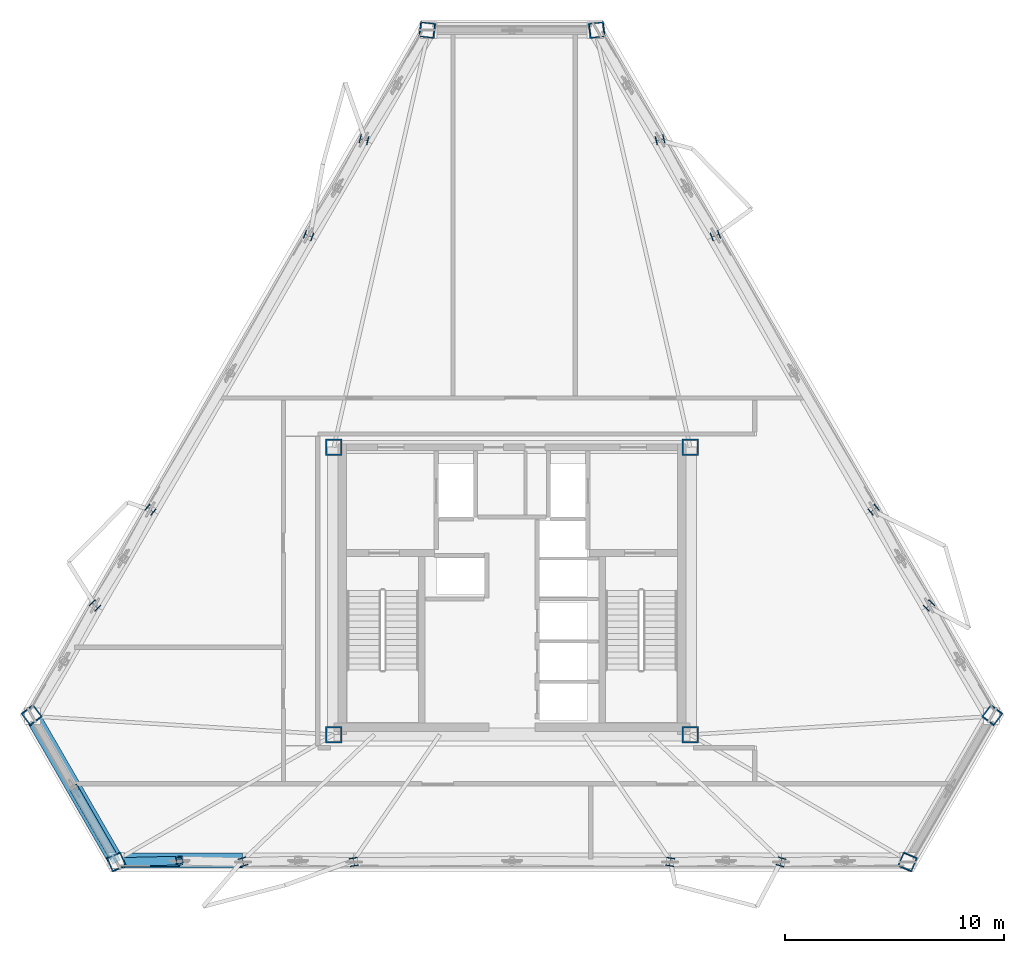
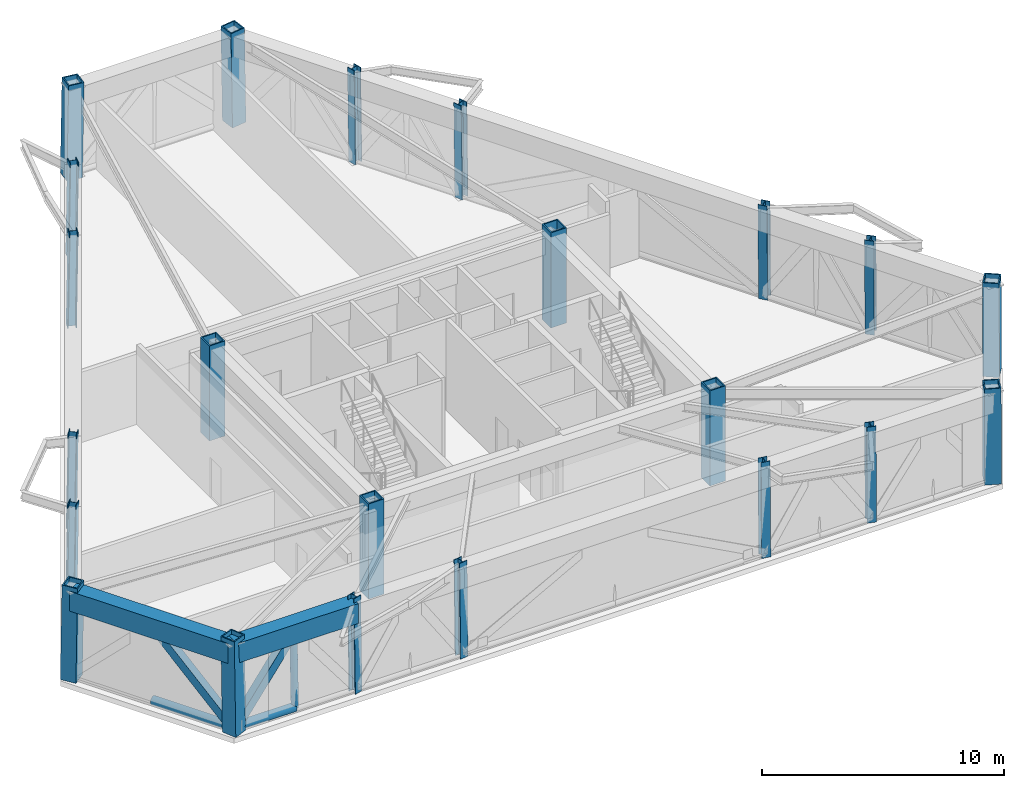
# One storey, part 1 of 10: 22 columns, 5 members, 2 beams.
"""IFC4 building model written with IfcOpenShell, lengths in metres."""

from ifc_helpers import new_model, si_unit, direction, frame, origin, origin_2d, place, context, subcontext, project, spatial, hollow_rectangle, hollow_circle, i_section, extrude, material, material_profile, profile_set, type_object, element, save


model = new_model("IFC4")

# Units and contexts
model_context = context("Model", 3, precision=1e-05, world=origin(), true_north=direction((0.0, 1.0)))
body_context = subcontext(model_context, "Body", "Model", "MODEL_VIEW")
ifc_project = project(units=[si_unit("LENGTHUNIT", "METRE"), si_unit("AREAUNIT", "SQUARE_METRE"), si_unit("VOLUMEUNIT", "CUBIC_METRE"), si_unit("PLANEANGLEUNIT", "RADIAN"), si_unit("MASSUNIT", "GRAM", prefix="KILO")], contexts=[model_context])

# Site, building, storey
site_placement = place(None, origin())
site = spatial("IfcSite", under=ifc_project, at=site_placement, CompositionType="ELEMENT")
building_placement = place(site_placement, origin())
building = spatial("IfcBuilding", under=site, at=building_placement, Name="Oramaril Tower", CompositionType="ELEMENT")
storey_placement = place(building_placement, frame((0.0, 0.0, 189.0)))
storey = spatial("IfcBuildingStorey", under=building, at=storey_placement, Name="L50", CompositionType="ELEMENT", Elevation=189.0)

# Columns
ifc_material_1 = material(Name="Steel ASTM A572 Gr 50", Category="steel")
ifc_material_profile_1 = material_profile(ifc_material_1, hollow_rectangle(XDim=0.75, YDim=0.75, WallThickness=0.06005859375, at=origin_2d()), Name="BOX750X750X60")
ifc_profile_set_1 = profile_set([ifc_material_profile_1], Name="Steel ASTM A572 Gr 50")
column_type_1 = type_object("IfcColumnType", Name="CT-CC4", PredefinedType="COLUMN", material=ifc_profile_set_1)
for number, where, z_axis, x_axis, name in (
    (1, (29.35009765625, 11.0, 0.0), (0.0, 0.0, 1.0), (1.0, 0.0, 0.0), "L50 Core Column CC-1"),
    (2, (45.64990234375, 11.0, 0.0), (0.0, 0.0, 1.0), (1.0, 0.0, 0.0), "L50 Core Column CC-2"),
    (3, (45.64990234375, 24.14990234375, 0.0), (0.0, 0.0, 1.0), (1.0, 0.0, 0.0), "L50 Core Column CC-3"),
    (4, (29.35009765625, 24.14990234375, 0.0), (0.0, 0.0, 1.0), (1.0, 0.0, 0.0), "L50 Core Column CC-4"),
):
    element("IfcColumn", number, at=place(storey_placement, frame(where, z_axis=z_axis, x_axis=x_axis)), inside=storey, type_object=column_type_1, Name=name, PredefinedType="COLUMN", context=body_context, shape_type="SweptSolid", body=[
        extrude(hollow_rectangle(XDim=0.75, YDim=0.75, WallThickness=0.06005859375, at=origin_2d()), origin(), (0.0, 0.0, 1.0), 4.800048828125),
    ])
ifc_material_2 = material(Name="Steel ASTM A572 Gr 50", Category="steel")
ifc_material_profile_2 = material_profile(ifc_material_2, hollow_rectangle(XDim=0.699951171875, YDim=0.699951171875, WallThickness=0.054931640625, at=origin_2d()), Name="BOX700X700X55")
ifc_profile_set_2 = profile_set([ifc_material_profile_2], Name="Steel ASTM A572 Gr 50")
column_type_2 = type_object("IfcColumnType", Name="CT-TC4", PredefinedType="COLUMN", material=ifc_profile_set_2)
column_1_placement = place(storey_placement, frame((15.527587890625, 11.900146484375, 0.00439453125), z_axis=(0.009629836026, -0.012737878341, 0.999872498228), x_axis=(0.797696768958, 0.603058757332, 0.0)))
element("IfcColumn", 5, at=column_1_placement, inside=storey, type_object=column_type_2, Name="L50 Tube Column TC-01", PredefinedType="COLUMN", context=body_context, shape_type="SweptSolid", body=[
    extrude(hollow_rectangle(XDim=0.699951171875, YDim=0.699951171875, WallThickness=0.054931640625, at=origin_2d()), origin(), (0.0, 0.0, 1.0), 4.791748046875),
])
for number, where, z_axis, x_axis, name in (
    (6, (19.41259765625, 5.17138671875, 0.00439453125), (-0.006216087801, 0.014674043334, 0.999873008289), (-0.920790649234, -0.390057150023, 0.0), "L50 Tube Column TC-02"),
    (7, (55.58740234375, 5.17138671875, 0.00439453125), (0.006216087801, 0.014674043334, 0.999873008289), (-0.920790649234, 0.390057150023, 0.0), "L50 Tube Column TC-03"),
):
    element("IfcColumn", number, at=place(storey_placement, frame(where, z_axis=z_axis, x_axis=x_axis)), inside=storey, type_object=column_type_2, Name=name, PredefinedType="COLUMN", context=body_context, shape_type="SweptSolid", body=[
        extrude(hollow_rectangle(XDim=0.699951171875, YDim=0.699951171875, WallThickness=0.054931640625, at=origin_2d()), origin(), (0.0, 0.0, 1.0), 4.79150390625),
    ])
column_2_placement = place(storey_placement, frame((59.472412109375, 11.900146484375, 0.00439453125), z_axis=(-0.009629836026, -0.012737878341, 0.999872498228), x_axis=(0.797696768958, -0.603058757332, 0.0)))
element("IfcColumn", 8, at=column_2_placement, inside=storey, type_object=column_type_2, Name="L50 Tube Column TC-04", PredefinedType="COLUMN", context=body_context, shape_type="SweptSolid", body=[
    extrude(hollow_rectangle(XDim=0.699951171875, YDim=0.699951171875, WallThickness=0.054931640625, at=origin_2d()), origin(), (0.0, 0.0, 1.0), 4.791748046875),
])
for number, where, z_axis, x_axis, name in (
    (9, (41.384765625, 43.228515625, 0.00439453125), (-0.015794983023, -0.001936159209, 0.999873376883), (0.121669946257, -0.992570614202, 0.0), "L50 Tube Column TC-05"),
    (10, (33.615234375, 43.228515625, 0.00439453125), (0.015794983023, -0.001936159209, 0.999873376883), (0.121669946257, 0.992570614202, 0.0), "L50 Tube Column TC-06"),
):
    element("IfcColumn", number, at=place(storey_placement, frame(where, z_axis=z_axis, x_axis=x_axis)), inside=storey, type_object=column_type_2, Name=name, PredefinedType="COLUMN", context=body_context, shape_type="SweptSolid", body=[
        extrude(hollow_rectangle(XDim=0.699951171875, YDim=0.699951171875, WallThickness=0.054931640625, at=origin_2d()), origin(), (0.0, 0.0, 1.0), 4.79150390625),
    ])
ifc_material_3 = material(Name="Steel ASTM A572 Gr 50", Category="steel")
ifc_material_profile_3 = material_profile(ifc_material_3, i_section(OverallWidth=0.39892578125, OverallDepth=0.385986328125, WebThickness=0.02099609375, FlangeThickness=0.033203125, at=origin_2d()), Name="W14X176")
ifc_profile_set_3 = profile_set([ifc_material_profile_3], Name="Steel ASTM A572 Gr 50")
column_type_3 = type_object("IfcColumnType", Name="CT-TF4", PredefinedType="COLUMN", material=ifc_profile_set_3)
for number, where, z_axis, x_axis, name in (
    (11, (25.200439453125, 5.17138671875, 0.00439453125), (-0.004229021654, 0.01467419562, 0.99988338488), (-0.960891908098, -0.276923709625, 0.0), "L50 Tube Column TC-07"),
    (12, (30.264892578125, 5.17138671875, 0.00439453125), (-0.002445713826, 0.014674282955, 0.999889335829), (-0.986393923832, -0.164398987305, 0.0), "L50 Tube Column TC-08"),
    (13, (44.735107421875, 5.17138671875, 0.00439453125), (0.002445713826, 0.014674282955, 0.999889335829), (-0.986393923832, 0.164398987305, 0.0), "L50 Tube Column TC-09"),
    (14, (49.799560546875, 5.17138671875, 0.00439453125), (0.004229021654, 0.01467419562, 0.99988338488), (-0.960891908098, 0.276923709625, 0.0), "L50 Tube Column TC-10"),
    (15, (56.578369140625, 16.91259765625, 0.00439453125), (-0.010598028973, -0.011005645472, 0.999883271962), (0.720320213491, -0.693641687066, 0.0), "L50 Tube Column TC-11"),
    (16, (54.0458984375, 21.298583984375, 0.00439453125), (-0.01141333824, -0.009477146931, 0.999889953643), (0.638832098632, -0.769346183299, 0.0), "L50 Tube Column TC-12"),
    (17, (46.81103515625, 33.830078125, 0.00439453125), (-0.013960945552, -0.005197140315, 0.999889034709), (0.348873446007, -0.937169845157, 0.0), "L50 Tube Column TC-13"),
    (18, (44.27880859375, 38.216064453125, 0.00439453125), (-0.014827051208, -0.003668548753, 0.999883343347), (0.240180202753, -0.970728319462, 0.0), "L50 Tube Column TC-14"),
    (19, (30.72119140625, 38.216064453125, 0.00439453125), (0.014827051208, -0.003668548753, 0.999883343347), (0.240180202753, 0.970728319462, 0.0), "L50 Tube Column TC-15"),
    (20, (28.18896484375, 33.830078125, 0.00439453125), (0.013960945552, -0.005197140315, 0.999889034709), (0.348873446007, 0.937169845157, 0.0), "L50 Tube Column TC-16"),
    (21, (20.953857421875, 21.298583984375, 0.00439453125), (0.011464283961, -0.009477141408, 0.999889370873), (0.637146983342, 0.770742318559, 0.0), "L50 Tube Column TC-17"),
    (22, (18.421630859375, 16.91259765625, 0.00439453125), (0.010598028973, -0.011005645472, 0.999883271962), (0.720320213491, 0.693641687066, 0.0), "L50 Tube Column TC-18"),
):
    element("IfcColumn", number, at=place(storey_placement, frame(where, z_axis=z_axis, x_axis=x_axis)), inside=storey, type_object=column_type_3, Name=name, PredefinedType="COLUMN", context=body_context, shape_type="SweptSolid", body=[
        extrude(i_section(OverallWidth=0.39892578125, OverallDepth=0.385986328125, WebThickness=0.02099609375, FlangeThickness=0.033203125, at=origin_2d()), origin(), (0.0, 0.0, 1.0), 4.79150390625),
    ])

# Beams
ifc_material_4 = material(Name="Steel ASTM A572 Gr 50", Category="steel")
ifc_material_profile_4 = material_profile(ifc_material_4, hollow_rectangle(XDim=0.699951171875, YDim=1.0, WallThickness=0.06494140625, at=origin_2d()), Name="BOX1000X700X65")
ifc_profile_set_4 = profile_set([ifc_material_profile_4], Name="Steel ASTM A572 Gr 50")
beam_type = type_object("IfcBeamType", Name="BT-BT1", PredefinedType="BEAM", material=ifc_profile_set_4)
beam_1_placement = place(storey_placement, frame((15.57373046875, 11.839111328125, 4.080078125), z_axis=(0.500006337612, -0.866021744731, 0.0), x_axis=(0.866021744731, 0.500006337612, 0.0)))
element("IfcBeam", 23, at=beam_1_placement, inside=storey, type_object=beam_type, Name="L50 Perimeter Spandrel 01", PredefinedType="BEAM", context=body_context, shape_type="SweptSolid", body=[
    extrude(hollow_rectangle(XDim=0.699951171875, YDim=1.0, WallThickness=0.06494140625, at=origin_2d()), origin(), (0.0, 0.0, 1.0), 7.6181640625),
])
beam_2_placement = place(storey_placement, frame((19.3828125, 5.24169921875, 4.080078125), z_axis=(1.0, 0.0, 0.0), x_axis=(0.0, 1.0, 0.0)))
element("IfcBeam", 24, at=beam_2_placement, inside=storey, type_object=beam_type, Name="L50 Perimeter Spandrel 02", PredefinedType="BEAM", context=body_context, shape_type="SweptSolid", body=[
    extrude(hollow_rectangle(XDim=0.699951171875, YDim=1.0, WallThickness=0.06494140625, at=origin_2d()), origin(), (0.0, 0.0, 1.0), 5.79736328125),
])

# Members
ifc_material_5 = material(Name="Steel ASTM A572 Gr 50", Category="steel")
ifc_material_profile_5 = material_profile(ifc_material_5, hollow_rectangle(XDim=0.39990234375, YDim=0.39990234375, WallThickness=0.02001953125, at=origin_2d()), Name="HSS400X400X20")
ifc_profile_set_5 = profile_set([ifc_material_profile_5], Name="Steel ASTM A572 Gr 50")
member_type_1 = type_object("IfcMemberType", Name="MT-BD1", PredefinedType="BRACE", material=ifc_profile_set_5)
member_1_placement = place(storey_placement, frame((19.41259765625, 5.17138671875, 0.2099609375), z_axis=(-0.352753248641, 0.614368557111, 0.705773633403), x_axis=(-0.867216411161, -0.497931417177, 0.0)))
element("IfcMember", 25, at=member_1_placement, inside=storey, type_object=member_type_1, Name="L50 Truss Diagonal 01B", PredefinedType="BRACE", context=body_context, shape_type="SweptSolid", body=[
    extrude(hollow_rectangle(XDim=0.39990234375, YDim=0.39990234375, WallThickness=0.02001953125, at=origin_2d()), origin(), (0.0, 0.0, 1.0), 5.4833984375),
])
member_2_placement = place(storey_placement, frame((19.41259765625, 5.17138671875, 0.2099609375), z_axis=(0.595451328468, 0.014593650123, 0.803258825536), x_axis=(-0.024501195012, 0.999699800662, 0.0)))
element("IfcMember", 26, at=member_2_placement, inside=storey, type_object=member_type_1, Name="L50 Truss Diagonal 02A", PredefinedType="BRACE", context=body_context, shape_type="SweptSolid", body=[
    extrude(hollow_rectangle(XDim=0.39990234375, YDim=0.39990234375, WallThickness=0.02001953125, at=origin_2d()), origin(), (0.0, 0.0, 1.0), 4.818115234375),
])
ifc_material_6 = material(Name="Steel ASTM A572 Gr 50", Category="steel")
ifc_material_profile_6 = material_profile(ifc_material_6, hollow_circle(Radius=0.202880859375, WallThickness=0.01611328125, at=origin_2d()), Name="CHS406X16")
ifc_profile_set_6 = profile_set([ifc_material_profile_6], Name="Steel ASTM A572 Gr 50")
member_type_2 = type_object("IfcMemberType", Name="MT-CH1", PredefinedType="CHORD", material=ifc_profile_set_6)
member_3_placement = place(storey_placement, frame((17.47021484375, 8.535888671875, 0.2099609375), z_axis=(0.499978127697, -0.866038031396, 0.0), x_axis=(0.866038031396, 0.499978127697, 0.0)))
element("IfcMember", 27, at=member_3_placement, inside=storey, type_object=member_type_2, Name="L50 Belt Truss Chord 01B", PredefinedType="CHORD", context=body_context, shape_type="SweptSolid", body=[
    extrude(hollow_circle(Radius=0.202880859375, WallThickness=0.01611328125, at=origin_2d()), origin(), (0.0, 0.0, 1.0), 3.885009765625),
])
member_4_placement = place(storey_placement, frame((19.41259765625, 5.17138671875, 0.2099609375), z_axis=(1.0, 0.0, 0.0), x_axis=(0.0, 1.0, 0.0)))
element("IfcMember", 28, at=member_4_placement, inside=storey, type_object=member_type_2, Name="L50 Belt Truss Chord 02A", PredefinedType="CHORD", context=body_context, shape_type="SweptSolid", body=[
    extrude(hollow_circle(Radius=0.202880859375, WallThickness=0.01611328125, at=origin_2d()), origin(), (0.0, 0.0, 1.0), 2.893798828125),
])
ifc_material_7 = material(Name="Steel ASTM A572 Gr 50", Category="steel")
ifc_material_profile_7 = material_profile(ifc_material_7, hollow_circle(Radius=0.162109375, WallThickness=0.011962890625, at=origin_2d()), Name="CHS324X12")
ifc_profile_set_7 = profile_set([ifc_material_profile_7], Name="Steel ASTM A572 Gr 50")
member_type_3 = type_object("IfcMemberType", Name="MT-ST1", PredefinedType="STRUT", material=ifc_profile_set_7)
member_5_placement = place(storey_placement, frame((22.306396484375, 5.17138671875, 0.2099609375), z_axis=(-0.006433324485, 0.018164680898, 0.999814311112), x_axis=(-0.942627225161, -0.333847142245, 0.0)))
element("IfcMember", 29, at=member_5_placement, inside=storey, type_object=member_type_3, Name="L50 Belt Truss Strut 02", PredefinedType="STRUT", context=body_context, shape_type="SweptSolid", body=[
    extrude(hollow_circle(Radius=0.162109375, WallThickness=0.011962890625, at=origin_2d()), origin(), (0.0, 0.0, 1.0), 3.870849609375),
])

save(model, "model.ifc")
